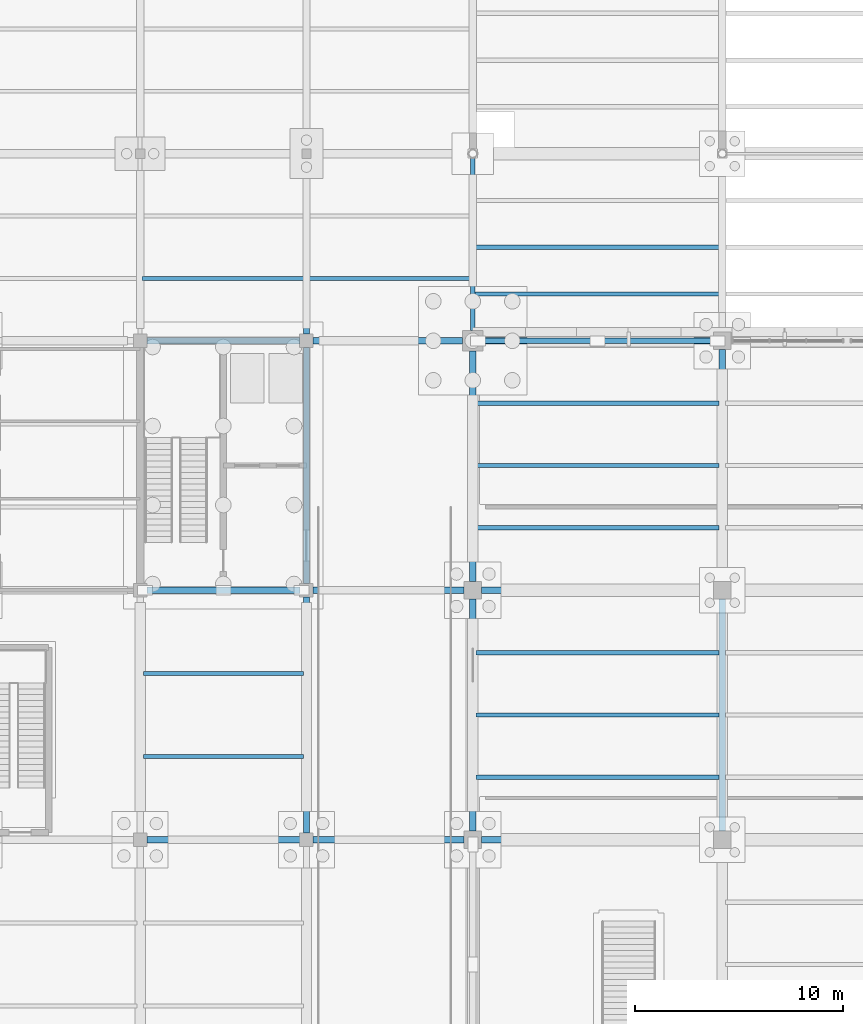
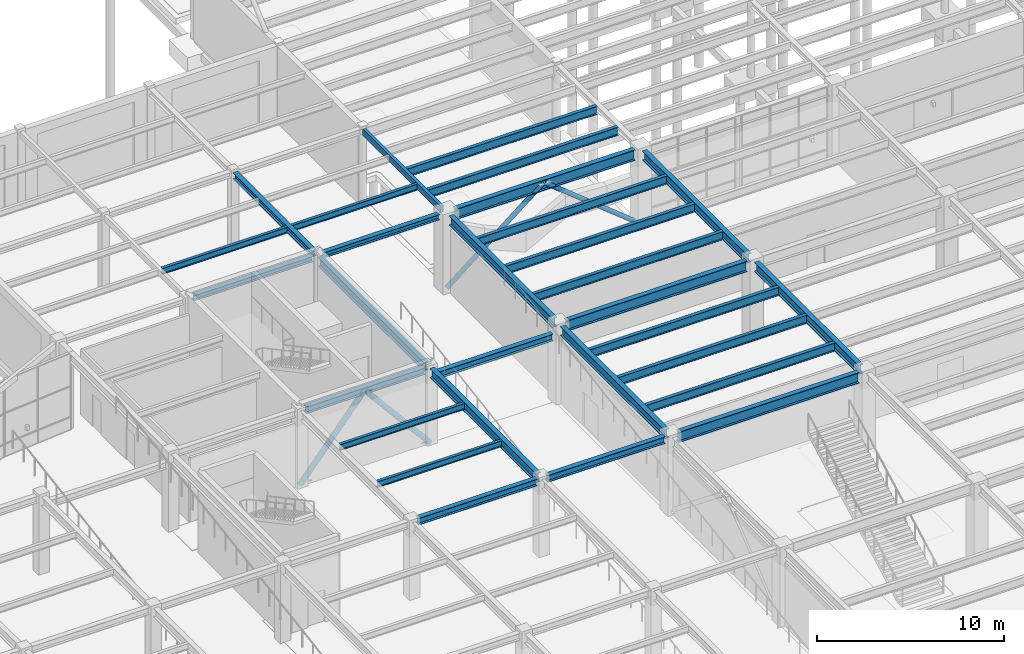
# One storey, part 33 of 85: 29 beams, 4 members.
"""IFC4 building model written with IfcOpenShell, lengths in metres."""

from ifc_helpers import new_model, si_unit, direction, frame, origin, origin_2d, place, context, subcontext, project, spatial, hollow_rectangle, hollow_circle, i_section, extrude, material, material_profile, profile_set, type_object, element, save


model = new_model("IFC4")

# Units and contexts
model_context = context("Model", 3, precision=1e-05, world=origin(), true_north=direction((0.0, 1.0)))
body_context = subcontext(model_context, "Body", "Model", "MODEL_VIEW")
ifc_project = project(units=[si_unit("LENGTHUNIT", "METRE"), si_unit("AREAUNIT", "SQUARE_METRE"), si_unit("VOLUMEUNIT", "CUBIC_METRE"), si_unit("PLANEANGLEUNIT", "RADIAN"), si_unit("MASSUNIT", "GRAM", prefix="KILO")], contexts=[model_context])

# Site, building, storey
site_placement = place(None, origin())
site = spatial("IfcSite", under=ifc_project, at=site_placement, CompositionType="ELEMENT")
building_placement = place(site_placement, origin())
building = spatial("IfcBuilding", under=site, at=building_placement, Name="Keelwater Ferry Terminal", CompositionType="ELEMENT")
storey_placement = place(building_placement, origin())
storey = spatial("IfcBuildingStorey", under=building, at=storey_placement, Name="L00", CompositionType="ELEMENT", Elevation=0.0)

# Members
ifc_material_1 = material(Name="Steel S355", Category="steel")
ifc_material_profile_1 = material_profile(ifc_material_1, hollow_circle(Radius=0.161865234375, WallThickness=0.012451171875, at=origin_2d()), Name="CHS 323.9x12.5")
ifc_profile_set_1 = profile_set([ifc_material_profile_1], Name="Steel S355")
member_type_1 = type_object("IfcMemberType", Name="BR1 CHS 323.9x12.5", PredefinedType="BRACE", material=ifc_profile_set_1)
for number, where, z_axis, x_axis, name in (
    (1, (32.0, 78.0, 0.0), (0.63939331492, 0.0, 0.768879827304), (0.0, 1.0, 0.0), "Structural Member MB-L00-0537"),
    (2, (40.0, 78.0, 0.0), (-0.63939331492, 0.0, 0.768879827304), (0.0, -1.0, 0.0), "Structural Member MB-L00-0538"),
):
    element("IfcMember", number, at=place(storey_placement, frame(where, z_axis=z_axis, x_axis=x_axis)), inside=storey, type_object=member_type_1, Name=name, PredefinedType="BRACE", context=body_context, shape_type="SweptSolid", body=[
        extrude(hollow_circle(Radius=0.161865234375, WallThickness=0.012451171875, at=origin_2d()), origin(), (0.0, 0.0, 1.0), 6.255859375),
    ])
ifc_material_2 = material(Name="Steel S355", Category="steel")
ifc_material_profile_2 = material_profile(ifc_material_2, hollow_circle(Radius=0.136474609375, WallThickness=0.012451171875, at=origin_2d()), Name="CHS 273x12.5")
ifc_profile_set_2 = profile_set([ifc_material_profile_2], Name="Steel S355")
member_type_2 = type_object("IfcMemberType", Name="BR2 CHS 273x12.5", PredefinedType="BRACE", material=ifc_profile_set_2)
for number, where, z_axis, x_axis, name in (
    (3, (48.0, 90.0, 0.0), (0.780230351718, 0.0, 0.625492284731), (0.0, 1.0, 0.0), "Structural Member MB-L00-0543"),
    (4, (60.0, 90.0, 0.0), (-0.780230351718, 0.0, 0.625492284731), (0.0, -1.0, 0.0), "Structural Member MB-L00-0544"),
):
    element("IfcMember", number, at=place(storey_placement, frame(where, z_axis=z_axis, x_axis=x_axis)), inside=storey, type_object=member_type_2, Name=name, PredefinedType="BRACE", context=body_context, shape_type="SweptSolid", body=[
        extrude(hollow_circle(Radius=0.136474609375, WallThickness=0.012451171875, at=origin_2d()), origin(), (0.0, 0.0, 1.0), 7.68994140625),
    ])

# Beams
ifc_material_3 = material(Name="Steel S355", Category="steel")
ifc_material_profile_3 = material_profile(ifc_material_3, i_section(OverallWidth=0.300048828125, OverallDepth=0.699951171875, WebThickness=0.01708984375, FlangeThickness=0.031982421875, at=origin_2d()), Name="HEB 700")
ifc_profile_set_3 = profile_set([ifc_material_profile_3], Name="Steel S355")
beam_type_1 = type_object("IfcBeamType", Name="G2 HEB 700", PredefinedType="BEAM", material=ifc_profile_set_3)
for number, where, z_axis, x_axis, name in (
    (5, (48.416015625, 66.0, 4.7099609375), (1.0, 0.0, 0.0), (0.0, 1.0, 0.0), "Beam BM-L00-0054"),
    (6, (48.416015625, 78.0, 4.7099609375), (1.0, 0.0, 0.0), (0.0, 1.0, 0.0), "Beam BM-L00-0072"),
):
    element("IfcBeam", number, at=place(storey_placement, frame(where, z_axis=z_axis, x_axis=x_axis)), inside=storey, type_object=beam_type_1, Name=name, PredefinedType="BEAM", context=body_context, shape_type="SweptSolid", body=[
        extrude(i_section(OverallWidth=0.300048828125, OverallDepth=0.699951171875, WebThickness=0.01708984375, FlangeThickness=0.031982421875, at=origin_2d()), origin(), (0.0, 0.0, 1.0), 11.16796875),
    ])
ifc_material_4 = material(Name="Steel S355", Category="steel")
ifc_material_profile_4 = material_profile(ifc_material_4, i_section(OverallWidth=0.300048828125, OverallDepth=0.699951171875, WebThickness=0.01708984375, FlangeThickness=0.031982421875, at=origin_2d()), Name="HEB 700")
ifc_profile_set_4 = profile_set([ifc_material_profile_4], Name="Steel S355")
beam_type_2 = type_object("IfcBeamType", Name="G2E HEB 700", PredefinedType="BEAM", material=ifc_profile_set_4)
beam_1_placement = place(storey_placement, frame((48.489990234375, 90.0, 4.7099609375), z_axis=(1.0, 0.0, 0.0), x_axis=(0.0, 1.0, 0.0)))
element("IfcBeam", 7, at=beam_1_placement, inside=storey, type_object=beam_type_2, Name="Beam BM-L00-0088", PredefinedType="BEAM", context=body_context, shape_type="SweptSolid", body=[
    extrude(i_section(OverallWidth=0.300048828125, OverallDepth=0.699951171875, WebThickness=0.01708984375, FlangeThickness=0.031982421875, at=origin_2d()), origin(), (0.0, 0.0, 1.0), 11.093994140625),
])
ifc_material_5 = material(Name="Steel S355", Category="steel")
ifc_material_profile_5 = material_profile(ifc_material_5, i_section(OverallWidth=0.300048828125, OverallDepth=0.60009765625, WebThickness=0.015380859375, FlangeThickness=0.030029296875, at=origin_2d()), Name="HEB 600")
ifc_profile_set_5 = profile_set([ifc_material_profile_5], Name="Steel S355")
beam_type_3 = type_object("IfcBeamType", Name="G3 HEB 600", PredefinedType="BEAM", material=ifc_profile_set_5)
for number, where, z_axis, x_axis, name in (
    (8, (40.0, 66.318115234375, 4.760009765625), (0.0, 1.0, 0.0), (-1.0, 0.0, 0.0), "Beam BM-L00-0180"),
    (9, (40.0, 78.318115234375, 4.760009765625), (0.0, 1.0, 0.0), (-1.0, 0.0, 0.0), "Beam BM-L00-0181"),
):
    element("IfcBeam", number, at=place(storey_placement, frame(where, z_axis=z_axis, x_axis=x_axis)), inside=storey, type_object=beam_type_3, Name=name, PredefinedType="BEAM", context=body_context, shape_type="SweptSolid", body=[
        extrude(i_section(OverallWidth=0.300048828125, OverallDepth=0.60009765625, WebThickness=0.015380859375, FlangeThickness=0.030029296875, at=origin_2d()), origin(), (0.0, 0.0, 1.0), 11.36376953125),
    ])
for number, where, z_axis, x_axis, name in (
    (10, (60.0, 66.416015625, 4.760009765625), (0.0, 1.0, 0.0), (-1.0, 0.0, 0.0), "Beam BM-L00-0198"),
    (11, (60.0, 78.416015625, 4.760009765625), (0.0, 1.0, 0.0), (-1.0, 0.0, 0.0), "Beam BM-L00-0199"),
):
    element("IfcBeam", number, at=place(storey_placement, frame(where, z_axis=z_axis, x_axis=x_axis)), inside=storey, type_object=beam_type_3, Name=name, PredefinedType="BEAM", context=body_context, shape_type="SweptSolid", body=[
        extrude(i_section(OverallWidth=0.300048828125, OverallDepth=0.60009765625, WebThickness=0.015380859375, FlangeThickness=0.030029296875, at=origin_2d()), origin(), (0.0, 0.0, 1.0), 11.16796875),
    ])
ifc_material_6 = material(Name="Steel S355", Category="steel")
ifc_material_profile_6 = material_profile(ifc_material_6, i_section(OverallWidth=0.300048828125, OverallDepth=0.60009765625, WebThickness=0.015380859375, FlangeThickness=0.030029296875, at=origin_2d()), Name="HEB 600")
ifc_profile_set_6 = profile_set([ifc_material_profile_6], Name="Steel S355")
beam_type_4 = type_object("IfcBeamType", Name="G3E HEB 600", PredefinedType="BEAM", material=ifc_profile_set_6)
beam_2_placement = place(storey_placement, frame((48.0, 66.416015625, 4.760009765625), z_axis=(0.0, 1.0, 0.0), x_axis=(-1.0, 0.0, 0.0)))
element("IfcBeam", 12, at=beam_2_placement, inside=storey, type_object=beam_type_4, Name="Beam BM-L00-0190", PredefinedType="BEAM", context=body_context, shape_type="SweptSolid", body=[
    extrude(i_section(OverallWidth=0.300048828125, OverallDepth=0.60009765625, WebThickness=0.015380859375, FlangeThickness=0.030029296875, at=origin_2d()), origin(), (0.0, 0.0, 1.0), 11.16796875),
])
beam_3_placement = place(storey_placement, frame((48.0, 78.416015625, 4.760009765625), z_axis=(0.0, 1.0, 0.0), x_axis=(-1.0, 0.0, 0.0)))
element("IfcBeam", 13, at=beam_3_placement, inside=storey, type_object=beam_type_4, Name="Beam BM-L00-0191", PredefinedType="BEAM", context=body_context, shape_type="SweptSolid", body=[
    extrude(i_section(OverallWidth=0.300048828125, OverallDepth=0.60009765625, WebThickness=0.015380859375, FlangeThickness=0.030029296875, at=origin_2d()), origin(), (0.0, 0.0, 1.0), 11.093994140625),
])
ifc_material_7 = material(Name="Steel S355", Category="steel")
ifc_material_profile_7 = material_profile(ifc_material_7, i_section(OverallWidth=0.300048828125, OverallDepth=0.449951171875, WebThickness=0.013916015625, FlangeThickness=0.02587890625, at=origin_2d()), Name="HEB 450")
ifc_profile_set_7 = profile_set([ifc_material_profile_7], Name="Steel S355")
beam_type_5 = type_object("IfcBeamType", Name="G6 HEB 450", PredefinedType="BEAM", material=ifc_profile_set_7)
beam_4_placement = place(storey_placement, frame((32.318115234375, 66.0, 4.8349609375), z_axis=(1.0, 0.0, 0.0), x_axis=(0.0, 1.0, 0.0)))
element("IfcBeam", 14, at=beam_4_placement, inside=storey, type_object=beam_type_5, Name="Beam BM-L00-0052", PredefinedType="BEAM", context=body_context, shape_type="SweptSolid", body=[
    extrude(i_section(OverallWidth=0.300048828125, OverallDepth=0.449951171875, WebThickness=0.013916015625, FlangeThickness=0.02587890625, at=origin_2d()), origin(), (0.0, 0.0, 1.0), 7.36376953125),
])
beam_5_placement = place(storey_placement, frame((40.318115234375, 66.0, 4.8349609375), z_axis=(1.0, 0.0, 0.0), x_axis=(0.0, 1.0, 0.0)))
element("IfcBeam", 15, at=beam_5_placement, inside=storey, type_object=beam_type_5, Name="Beam BM-L00-0053", PredefinedType="BEAM", context=body_context, shape_type="SweptSolid", body=[
    extrude(i_section(OverallWidth=0.300048828125, OverallDepth=0.449951171875, WebThickness=0.013916015625, FlangeThickness=0.02587890625, at=origin_2d()), origin(), (0.0, 0.0, 1.0), 7.265869140625),
])
beam_6_placement = place(storey_placement, frame((32.318115234375, 78.0, 4.8349609375), z_axis=(1.0, 0.0, 0.0), x_axis=(0.0, 1.0, 0.0)))
element("IfcBeam", 16, at=beam_6_placement, inside=storey, type_object=beam_type_5, Name="Beam BM-L00-0070", PredefinedType="BEAM", context=body_context, shape_type="SweptSolid", body=[
    extrude(i_section(OverallWidth=0.300048828125, OverallDepth=0.449951171875, WebThickness=0.013916015625, FlangeThickness=0.02587890625, at=origin_2d()), origin(), (0.0, 0.0, 1.0), 7.36376953125),
])
beam_7_placement = place(storey_placement, frame((40.318115234375, 78.0, 4.264892578125), z_axis=(1.0, 0.0, 0.0), x_axis=(0.0, 1.0, 0.0)))
element("IfcBeam", 17, at=beam_7_placement, inside=storey, type_object=beam_type_5, Name="Beam BM-L00-0071", PredefinedType="BEAM", context=body_context, shape_type="SweptSolid", body=[
    extrude(i_section(OverallWidth=0.300048828125, OverallDepth=0.449951171875, WebThickness=0.013916015625, FlangeThickness=0.02587890625, at=origin_2d()), origin(), (0.0, 0.0, 1.0), 7.265869140625),
])
ifc_material_8 = material(Name="Steel S355", Category="steel")
ifc_material_profile_8 = material_profile(ifc_material_8, i_section(OverallWidth=0.300048828125, OverallDepth=0.39990234375, WebThickness=0.013427734375, FlangeThickness=0.02392578125, at=origin_2d()), Name="HEB 400")
ifc_profile_set_8 = profile_set([ifc_material_profile_8], Name="Steel S355")
beam_type_6 = type_object("IfcBeamType", Name="G7 HEB 400", PredefinedType="BEAM", material=ifc_profile_set_8)
beam_8_placement = place(storey_placement, frame((40.0, 90.318115234375, 4.860107421875), z_axis=(0.0, 1.0, 0.0), x_axis=(-1.0, 0.0, 0.0)))
element("IfcBeam", 18, at=beam_8_placement, inside=storey, type_object=beam_type_6, Name="Beam BM-L00-0182", PredefinedType="BEAM", context=body_context, shape_type="SweptSolid", body=[
    extrude(i_section(OverallWidth=0.300048828125, OverallDepth=0.39990234375, WebThickness=0.013427734375, FlangeThickness=0.02392578125, at=origin_2d()), origin(), (0.0, 0.0, 1.0), 8.4619140625),
])
ifc_material_9 = material(Name="Steel S355", Category="steel")
ifc_material_profile_9 = material_profile(ifc_material_9, i_section(OverallWidth=0.2099609375, OverallDepth=0.550048828125, WebThickness=0.010986328125, FlangeThickness=0.01708984375, at=origin_2d()), Name="IPE 550")
ifc_profile_set_9 = profile_set([ifc_material_profile_9], Name="Steel S355")
beam_type_7 = type_object("IfcBeamType", Name="J2 IPE 550", PredefinedType="JOIST", material=ifc_profile_set_9)
for number, where, z_axis, x_axis, name in (
    (19, (48.14990234375, 69.0, 4.784912109375), (1.0, 0.0, 0.0), (0.0, 1.0, 0.0), "Beam BM-L00-0348"),
    (20, (48.14990234375, 72.0, 4.784912109375), (1.0, 0.0, 0.0), (0.0, 1.0, 0.0), "Beam BM-L00-0349"),
    (21, (48.14990234375, 75.0, 4.784912109375), (1.0, 0.0, 0.0), (0.0, 1.0, 0.0), "Beam BM-L00-0350"),
    (22, (48.14990234375, 81.0, 4.784912109375), (1.0, 0.0, 0.0), (0.0, 1.0, 0.0), "Beam BM-L00-0351"),
    (23, (48.14990234375, 84.0, 4.784912109375), (1.0, 0.0, 0.0), (0.0, 1.0, 0.0), "Beam BM-L00-0352"),
    (24, (48.14990234375, 87.0, 4.784912109375), (1.0, 0.0, 0.0), (0.0, 1.0, 0.0), "Beam BM-L00-0353"),
):
    element("IfcBeam", number, at=place(storey_placement, frame(where, z_axis=z_axis, x_axis=x_axis)), inside=storey, type_object=beam_type_7, Name=name, PredefinedType="JOIST", context=body_context, shape_type="SweptSolid", body=[
        extrude(i_section(OverallWidth=0.2099609375, OverallDepth=0.550048828125, WebThickness=0.010986328125, FlangeThickness=0.01708984375, at=origin_2d()), origin(), (0.0, 0.0, 1.0), 11.7001953125),
    ])
for number, where, z_axis, x_axis, name in (
    (25, (48.10009765625, 92.25, 4.784912109375), (1.0, 0.0, 0.0), (0.0, 1.0, 0.0), "Beam BM-L00-0354"),
    (26, (48.10009765625, 94.5, 4.784912109375), (1.0, 0.0, 0.0), (0.0, 1.0, 0.0), "Beam BM-L00-0355"),
):
    element("IfcBeam", number, at=place(storey_placement, frame(where, z_axis=z_axis, x_axis=x_axis)), inside=storey, type_object=beam_type_7, Name=name, PredefinedType="JOIST", context=body_context, shape_type="SweptSolid", body=[
        extrude(i_section(OverallWidth=0.2099609375, OverallDepth=0.550048828125, WebThickness=0.010986328125, FlangeThickness=0.01708984375, at=origin_2d()), origin(), (0.0, 0.0, 1.0), 11.75),
    ])
ifc_material_10 = material(Name="Steel S355", Category="steel")
ifc_material_profile_10 = material_profile(ifc_material_10, i_section(OverallWidth=0.179931640625, OverallDepth=0.39990234375, WebThickness=0.008544921875, FlangeThickness=0.013427734375, at=origin_2d()), Name="IPE 400")
ifc_profile_set_10 = profile_set([ifc_material_profile_10], Name="Steel S355")
beam_type_8 = type_object("IfcBeamType", Name="J5 IPE 400", PredefinedType="JOIST", material=ifc_profile_set_10)
for number, where, z_axis, x_axis, name in (
    (27, (32.14990234375, 70.0, 4.860107421875), (1.0, 0.0, 0.0), (0.0, 1.0, 0.0), "Beam BM-L00-0330"),
    (28, (32.14990234375, 74.0, 4.860107421875), (1.0, 0.0, 0.0), (0.0, 1.0, 0.0), "Beam BM-L00-0331"),
):
    element("IfcBeam", number, at=place(storey_placement, frame(where, z_axis=z_axis, x_axis=x_axis)), inside=storey, type_object=beam_type_8, Name=name, PredefinedType="JOIST", context=body_context, shape_type="SweptSolid", body=[
        extrude(i_section(OverallWidth=0.179931640625, OverallDepth=0.39990234375, WebThickness=0.008544921875, FlangeThickness=0.013427734375, at=origin_2d()), origin(), (0.0, 0.0, 1.0), 7.7001953125),
    ])
for number, where, z_axis, x_axis, name in (
    (29, (32.10009765625, 93.0, 4.860107421875), (1.0, 0.0, 0.0), (0.0, 1.0, 0.0), "Beam BM-L00-0332"),
    (30, (40.14990234375, 93.0, 4.860107421875), (1.0, 0.0, 0.0), (0.0, 1.0, 0.0), "Beam BM-L00-0342"),
):
    element("IfcBeam", number, at=place(storey_placement, frame(where, z_axis=z_axis, x_axis=x_axis)), inside=storey, type_object=beam_type_8, Name=name, PredefinedType="JOIST", context=body_context, shape_type="SweptSolid", body=[
        extrude(i_section(OverallWidth=0.179931640625, OverallDepth=0.39990234375, WebThickness=0.008544921875, FlangeThickness=0.013427734375, at=origin_2d()), origin(), (0.0, 0.0, 1.0), 7.75),
    ])
ifc_material_11 = material(Name="Steel S355", Category="steel")
ifc_material_profile_11 = material_profile(ifc_material_11, i_section(OverallWidth=0.300048828125, OverallDepth=0.35009765625, WebThickness=0.010009765625, FlangeThickness=0.017578125, at=origin_2d()), Name="HEA 360")
ifc_profile_set_11 = profile_set([ifc_material_profile_11], Name="Steel S355")
beam_type_9 = type_object("IfcBeamType", Name="SP1E HEA 360", PredefinedType="SPANDREL", material=ifc_profile_set_11)
beam_9_placement = place(storey_placement, frame((32.318115234375, 90.0, 4.885009765625), z_axis=(1.0, 0.0, 0.0), x_axis=(0.0, 1.0, 0.0)))
element("IfcBeam", 31, at=beam_9_placement, inside=storey, type_object=beam_type_9, Name="Beam BM-L00-0086", PredefinedType="SPANDREL", context=body_context, shape_type="SweptSolid", body=[
    extrude(i_section(OverallWidth=0.300048828125, OverallDepth=0.35009765625, WebThickness=0.010009765625, FlangeThickness=0.017578125, at=origin_2d()), origin(), (0.0, 0.0, 1.0), 7.36376953125),
])
beam_10_placement = place(storey_placement, frame((40.318115234375, 90.0, 4.885009765625), z_axis=(1.0, 0.0, 0.0), x_axis=(0.0, 1.0, 0.0)))
element("IfcBeam", 32, at=beam_10_placement, inside=storey, type_object=beam_type_9, Name="Beam BM-L00-0087", PredefinedType="SPANDREL", context=body_context, shape_type="SweptSolid", body=[
    extrude(i_section(OverallWidth=0.300048828125, OverallDepth=0.35009765625, WebThickness=0.010009765625, FlangeThickness=0.017578125, at=origin_2d()), origin(), (0.0, 0.0, 1.0), 7.19189453125),
])
ifc_material_12 = material(Name="Steel S355", Category="steel")
ifc_material_profile_12 = material_profile(ifc_material_12, hollow_rectangle(XDim=0.199951171875, YDim=0.39990234375, WallThickness=0.01611328125, at=origin_2d()), Name="RHS 400x200x16")
ifc_profile_set_12 = profile_set([ifc_material_profile_12], Name="Steel S355")
beam_type_10 = type_object("IfcBeamType", Name="SP3E RHS 400x200x16", PredefinedType="SPANDREL", material=ifc_profile_set_12)
beam_11_placement = place(storey_placement, frame((48.0, 90.489990234375, 4.860107421875), z_axis=(0.0, 1.0, 0.0), x_axis=(-1.0, 0.0, 0.0)))
element("IfcBeam", 33, at=beam_11_placement, inside=storey, type_object=beam_type_10, Name="Beam BM-L00-0192", PredefinedType="SPANDREL", context=body_context, shape_type="SweptSolid", body=[
    extrude(hollow_rectangle(XDim=0.199951171875, YDim=0.39990234375, WallThickness=0.01611328125, at=origin_2d()), origin(), (0.0, 0.0, 1.0), 8.343017578125),
])

save(model, "model.ifc")
